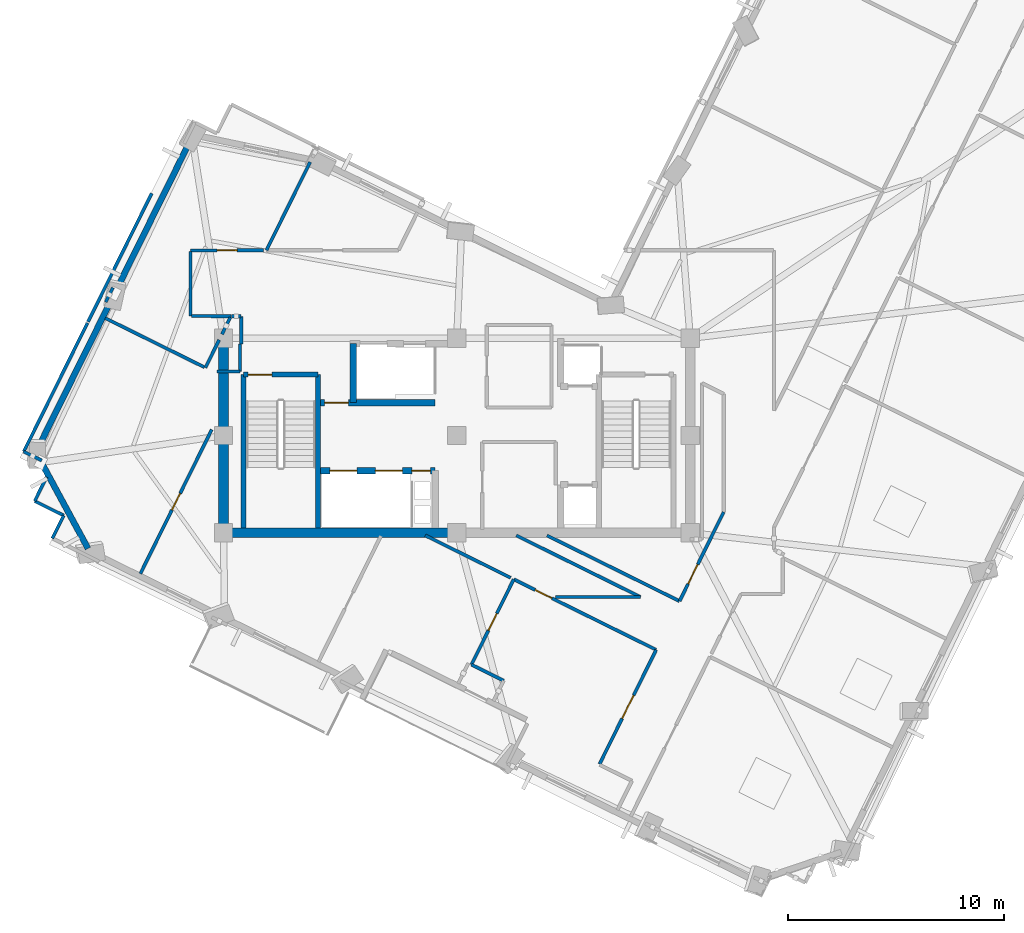
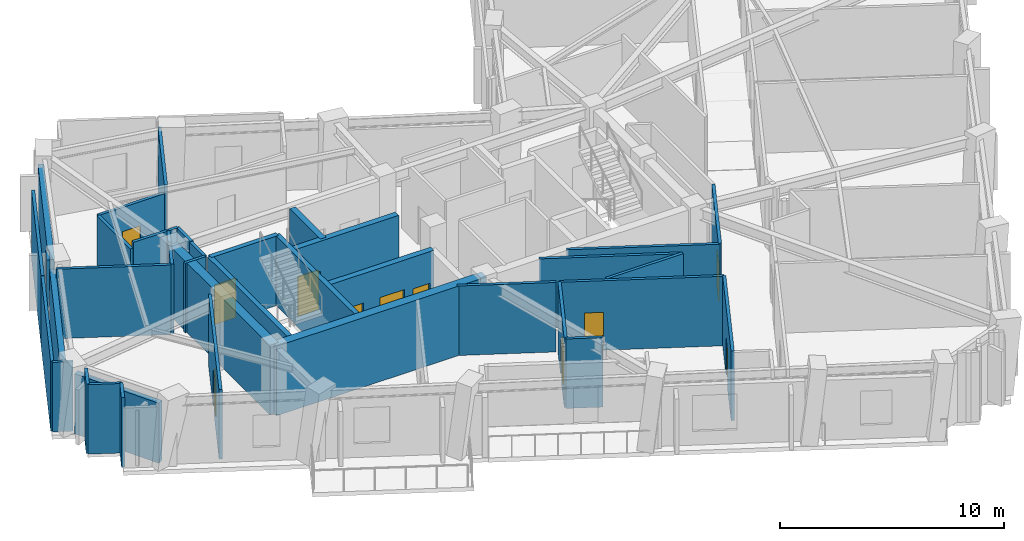
# One storey, part 4 of 11: 39 walls, 11 doors, 11 openings.
"""IFC4 building model written with IfcOpenShell, lengths in metres."""

from ifc_helpers import new_model, si_unit, direction, frame, frame_2d, origin, place, context, subcontext, project, spatial, rectangle, extrude, material, layer, layer_set, type_object, element, fill, save


model = new_model("IFC4")

# Units and contexts
model_context = context("Model", 3, precision=1e-05, world=origin(), true_north=direction((0.0, 1.0)))
body_context = subcontext(model_context, "Body", "Model", "MODEL_VIEW")
ifc_project = project(units=[si_unit("LENGTHUNIT", "METRE"), si_unit("AREAUNIT", "SQUARE_METRE"), si_unit("VOLUMEUNIT", "CUBIC_METRE"), si_unit("PLANEANGLEUNIT", "RADIAN"), si_unit("MASSUNIT", "GRAM", prefix="KILO")], contexts=[model_context])

# Site, building, storey
site_placement = place(None, origin())
site = spatial("IfcSite", under=ifc_project, at=site_placement, CompositionType="ELEMENT")
building_placement = place(site_placement, origin())
building = spatial("IfcBuilding", under=site, at=building_placement, Name="Gaonmaruhae Medical Tower", CompositionType="ELEMENT")
storey_placement = place(building_placement, frame((0.0, 0.0, 296.60009765625)))
storey = spatial("IfcBuildingStorey", under=building, at=storey_placement, Name="L71", CompositionType="ELEMENT", Elevation=296.60009765625)

# Walls
ifc_material_1 = material(Name="Concrete C50/60", Category="concrete")
ifc_layer_1 = layer(ifc_material_1, 0.449951171875)
ifc_layer_set_1 = layer_set([ifc_layer_1], Name="Concrete C50/60")
wall_type_1 = type_object("IfcWallType", Name="CW-450 Upper Core Shear Wall", PredefinedType="SHEAR", material=ifc_layer_set_1)
wall_1_placement = place(storey_placement, frame((14.0, 7.800048828125, 0.0), z_axis=(0.0, 0.0, 1.0), x_axis=(1.0, 0.0, 0.0)))
element("IfcWall", 1, at=wall_1_placement, inside=storey, type_object=wall_type_1, Name="L71 Core Shear Wall CSW-S1", PredefinedType="SHEAR", context=body_context, shape_type="SweptSolid", body=[
    extrude(rectangle(XDim=10.800048828125, YDim=0.449951171875, at=frame_2d((5.39990234375, 0.0))), origin(), (0.0, 0.0, 1.0), 3.77978515625),
])
wall_2_placement = place(storey_placement, frame((14.0, 16.800048828125, 0.0), z_axis=(0.0, 0.0, 1.0), x_axis=(0.0, -1.0, 0.0)))
element("IfcWall", 2, at=wall_2_placement, inside=storey, type_object=wall_type_1, Name="L71 Core Shear Wall CSW-W1", PredefinedType="SHEAR", context=body_context, shape_type="SweptSolid", body=[
    extrude(rectangle(XDim=9.0, YDim=0.449951171875, at=frame_2d((4.5, 0.0))), origin(), (0.0, 0.0, 1.0), 3.77978515625),
])
ifc_material_2 = material(Name="Precast concrete C45/55", Category="concrete")
ifc_layer_2 = layer(ifc_material_2, 0.280029296875)
ifc_layer_set_2 = layer_set([ifc_layer_2], Name="Precast concrete C45/55")
wall_type_2 = type_object("IfcWallType", Name="EW-280 Upper Precast Masonry-Frame Facade Wall", PredefinedType="SOLIDWALL", material=ifc_layer_set_2)
wall_3_placement = place(storey_placement, frame((9.052978515625, 19.0625, 0.0), z_axis=(0.0, 0.0, 1.0), x_axis=(0.443860814278, 0.896095741285, 0.0)))
element("IfcWall", 3, at=wall_3_placement, inside=storey, type_object=wall_type_2, Name="L71 Precast Masonry-Frame Wall N01-N02", PredefinedType="SOLIDWALL", context=body_context, shape_type="SweptSolid", body=[
    extrude(rectangle(XDim=7.434326171875, YDim=0.280029296875, at=frame_2d((3.71728515625, 0.0))), origin(), (0.0, 0.0, 1.0), 3.264892578125),
])
wall_4_placement = place(storey_placement, frame((5.3994140625, 11.68603515625, 0.0), z_axis=(0.0, 0.0, 1.0), x_axis=(0.443844166841, 0.896103987025, 0.0)))
element("IfcWall", 4, at=wall_4_placement, inside=storey, type_object=wall_type_2, Name="L71 Precast Masonry-Frame Wall N02-N03", PredefinedType="SOLIDWALL", context=body_context, shape_type="SweptSolid", body=[
    extrude(rectangle(XDim=7.484619140625, YDim=0.280029296875, at=frame_2d((3.7421875, 0.0))), origin(), (0.0, 0.0, 1.0), 3.264892578125),
])
wall_5_placement = place(storey_placement, frame((7.729736328125, 7.070068359375, 0.0), z_axis=(0.0, 0.0, 1.0), x_axis=(-0.476110062992, 0.879385699177, 0.0)))
element("IfcWall", 5, at=wall_5_placement, inside=storey, type_object=wall_type_2, Name="L71 Precast Masonry-Frame Wall N03-W01", PredefinedType="SOLIDWALL", context=body_context, shape_type="SweptSolid", body=[
    extrude(rectangle(XDim=4.407958984375, YDim=0.280029296875, at=frame_2d((2.2041015625, 0.0))), origin(), (0.0, 0.0, 1.0), 3.264892578125),
])
ifc_material_3 = material(Name="Gypsum board partition", Category="gypsum")
ifc_layer_3 = layer(ifc_material_3, 0.14990234375)
ifc_layer_set_3 = layer_set([ifc_layer_3], Name="Gypsum board partition")
wall_type_3 = type_object("IfcWallType", Name="PW-150 Rated Clinical Corridor Partition", PredefinedType="PARTITIONING", material=ifc_layer_set_3)
wall_6_placement = place(storey_placement, frame((26.967041015625, 0.9560546875, 0.0), z_axis=(0.0, 0.0, 1.0), x_axis=(-0.89597694194, 0.444100573645, 0.0)))
element("IfcWall", 6, at=wall_6_placement, inside=storey, type_object=wall_type_3, Name="L71 Interior Partition L71-WOF07-42", PredefinedType="PARTITIONING", context=body_context, shape_type="SweptSolid", body=[
    extrude(rectangle(XDim=1.6640625, YDim=0.14990234375, at=frame_2d((0.83203125, 0.0))), origin(), (0.0, 0.0, 1.0), 3.77978515625),
])

# Wall, opening, door
wall_7_placement = place(storey_placement, frame((25.47607421875, 1.695068359375, 0.0), z_axis=(0.0, 0.0, 1.0), x_axis=(0.443777888659, 0.896136811842, 0.0)))
wall_7 = element("IfcWall", 7, at=wall_7_placement, inside=storey, type_object=wall_type_3, Name="L71 Interior Partition L71-WOF07-43", PredefinedType="PARTITIONING", context=body_context, shape_type="SweptSolid", body=[
    extrude(rectangle(XDim=4.409912109375, YDim=0.14990234375, at=frame_2d((2.205078125, 0.0))), origin(), (0.0, 0.0, 1.0), 3.77978515625),
])
opening_1_placement = place(wall_7_placement, frame((1.77490234375, 0.0, 0.0)))
opening_1 = element("IfcOpeningElement", 8, at=opening_1_placement, cuts=wall_7, Name="Opening AD-01", PredefinedType="OPENING", context=body_context, shape_type="SweptSolid", body=[
    extrude(rectangle(XDim=0.860107421875, YDim=2.06005859375, at=frame_2d((0.43017578125, 1.030029296875))), frame((0.0, 0.0849609375, 0.0), z_axis=(0.0, -1.0, 0.0), x_axis=(1.0, 0.0, 0.0)), (0.0, 0.0, 1.0), 0.169921875),
])
ifc_material_4 = material(Name="Powder-coated steel access door", Category="steel")
door_type_1 = type_object("IfcDoorType", Name="AD-01 Riser & Closet Access Fire Door 860x2060", OperationType="NOTDEFINED", PredefinedType="DOOR", material=ifc_material_4)
door_1_placement = place(opening_1_placement, origin())
door_1 = element("IfcDoor", 9, at=door_1_placement, inside=storey, type_object=door_type_1, Name="L71 Ward Physician Reporting Office Sliding Door", OperationType="SLIDING_TO_LEFT", OverallHeight=2.06005859375, OverallWidth=0.860107421875, PredefinedType="DOOR", context=body_context, shape_type="SweptSolid", body=[
    extrude(rectangle(XDim=0.860107421875, YDim=2.06005859375, at=frame_2d((0.43017578125, 1.030029296875))), frame((0.0, 0.02490234375, 0.0), z_axis=(0.0, -1.0, 0.0), x_axis=(1.0, 0.0, 0.0)), (0.0, 0.0, 1.0), 0.050048828125),
])
fill(opening_1, door_1)

wall_8_placement = place(storey_placement, frame((27.43310546875, 5.64697265625, 0.0), z_axis=(0.0, 0.0, 1.0), x_axis=(0.896133495003, -0.443784586409, 0.0)))
wall_8 = element("IfcWall", 10, at=wall_8_placement, inside=storey, type_object=wall_type_3, Name="L71 Interior Partition L71-WOF07-44", PredefinedType="PARTITIONING", context=body_context, shape_type="SweptSolid", body=[
    extrude(rectangle(XDim=7.354736328125, YDim=0.14990234375, at=frame_2d((3.67724609375, 0.0))), origin(), (0.0, 0.0, 1.0), 3.77978515625),
])
opening_2_placement = place(wall_8_placement, frame((1.11083984375, 0.0, 0.0)))
opening_2 = element("IfcOpeningElement", 11, at=opening_2_placement, cuts=wall_8, Name="Opening AD-01", PredefinedType="OPENING", context=body_context, shape_type="SweptSolid", body=[
    extrude(rectangle(XDim=0.860107421875, YDim=2.06005859375, at=frame_2d((0.43017578125, 1.030029296875))), frame((0.0, 0.0849609375, 0.0), z_axis=(0.0, -1.0, 0.0), x_axis=(1.0, 0.0, 0.0)), (0.0, 0.0, 1.0), 0.169921875),
])
door_2_placement = place(opening_2_placement, origin())
door_2 = element("IfcDoor", 12, at=door_2_placement, inside=storey, type_object=door_type_1, Name="L71 Clinical Case Review Office Sliding Door", OperationType="SLIDING_TO_LEFT", OverallHeight=2.06005859375, OverallWidth=0.860107421875, PredefinedType="DOOR", context=body_context, shape_type="SweptSolid", body=[
    extrude(rectangle(XDim=0.860107421875, YDim=2.06005859375, at=frame_2d((0.43017578125, 1.030029296875))), frame((0.0, 0.02490234375, 0.0), z_axis=(0.0, -1.0, 0.0), x_axis=(1.0, 0.0, 0.0)), (0.0, 0.0, 1.0), 0.050048828125),
])
fill(opening_2, door_2)

wall_9_placement = place(storey_placement, frame((34.02392578125, 2.383056640625, 0.0), z_axis=(0.0, 0.0, 1.0), x_axis=(-0.443802528377, -0.896124609531, 0.0)))
wall_9 = element("IfcWall", 13, at=wall_9_placement, inside=storey, type_object=wall_type_3, Name="L71 Interior Partition L71-WOF07-45", PredefinedType="PARTITIONING", context=body_context, shape_type="SweptSolid", body=[
    extrude(rectangle(XDim=5.9033203125, YDim=0.14990234375, at=frame_2d((2.95166015625, 0.0))), origin(), (0.0, 0.0, 1.0), 3.77978515625),
])
opening_3_placement = place(wall_9_placement, frame((2.3515625, 0.0, 0.0)))
opening_3 = element("IfcOpeningElement", 14, at=opening_3_placement, cuts=wall_9, Name="Opening CD-02", PredefinedType="OPENING", context=body_context, shape_type="SweptSolid", body=[
    extrude(rectangle(XDim=1.199951171875, YDim=2.14990234375, at=frame_2d((0.60009765625, 1.074951171875))), frame((0.0, 0.0849609375, 0.0), z_axis=(0.0, -1.0, 0.0), x_axis=(1.0, 0.0, 0.0)), (0.0, 0.0, 1.0), 0.169921875),
])
ifc_material_5 = material(Name="Antimicrobial laminate timber fire door", Category="wood")
door_type_2 = type_object("IfcDoorType", Name="CD-02 Clinical Treatment & Procedure Door 1200x2150", OperationType="NOTDEFINED", PredefinedType="DOOR", material=ifc_material_5)
door_3_placement = place(opening_3_placement, origin())
door_3 = element("IfcDoor", 15, at=door_3_placement, inside=storey, type_object=door_type_2, Name="L71 Ward Physician Reporting Office Door", OperationType="SINGLE_SWING_LEFT", OverallHeight=2.14990234375, OverallWidth=1.199951171875, PredefinedType="DOOR", context=body_context, shape_type="SweptSolid", body=[
    extrude(rectangle(XDim=1.199951171875, YDim=2.14990234375, at=frame_2d((0.60009765625, 1.074951171875))), frame((0.0, 0.02490234375, 0.0), z_axis=(0.0, -1.0, 0.0), x_axis=(1.0, 0.0, 0.0)), (0.0, 0.0, 1.0), 0.050048828125),
])
fill(opening_3, door_3)

# Wall
wall_10_placement = place(storey_placement, frame((23.339111328125, 7.675048828125, 0.0), z_axis=(0.0, 0.0, 1.0), x_axis=(0.896093187534, -0.443865969923, 0.0)))
element("IfcWall", 16, at=wall_10_placement, inside=storey, type_object=wall_type_3, Name="L71 Interior Partition L71-WOF08-49", PredefinedType="PARTITIONING", context=body_context, shape_type="SweptSolid", body=[
    extrude(rectangle(XDim=4.4091796875, YDim=0.14990234375, at=frame_2d((2.20458984375, 0.0))), origin(), (0.0, 0.0, 1.0), 3.77978515625),
])

# Wall, opening, door
wall_11_placement = place(storey_placement, frame((10.154052734375, 5.908935546875, 0.0), z_axis=(0.0, 0.0, 1.0), x_axis=(0.443874121777, 0.896089149592, 0.0)))
wall_11 = element("IfcWall", 17, at=wall_11_placement, inside=storey, type_object=wall_type_3, Name="L71 Interior Partition L71-WOF09-51", PredefinedType="PARTITIONING", context=body_context, shape_type="SweptSolid", body=[
    extrude(rectangle(XDim=7.4345703125, YDim=0.14990234375, at=frame_2d((3.71728515625, 0.0))), origin(), (0.0, 0.0, 1.0), 3.77978515625),
])
opening_4_placement = place(wall_11_placement, frame((3.287353515625, 0.0, 0.0)))
opening_4 = element("IfcOpeningElement", 18, at=opening_4_placement, cuts=wall_11, Name="Opening AD-01", PredefinedType="OPENING", context=body_context, shape_type="SweptSolid", body=[
    extrude(rectangle(XDim=0.860107421875, YDim=2.06005859375, at=frame_2d((0.43017578125, 1.030029296875))), frame((0.0, 0.0849609375, 0.0), z_axis=(0.0, -1.0, 0.0), x_axis=(1.0, 0.0, 0.0)), (0.0, 0.0, 1.0), 0.169921875),
])
door_4_placement = place(opening_4_placement, origin())
door_4 = element("IfcDoor", 19, at=door_4_placement, inside=storey, type_object=door_type_1, Name="L71 Ward Physician Reporting Office Sliding Door", OperationType="SLIDING_TO_LEFT", OverallHeight=2.06005859375, OverallWidth=0.860107421875, PredefinedType="DOOR", context=body_context, shape_type="SweptSolid", body=[
    extrude(rectangle(XDim=0.860107421875, YDim=2.06005859375, at=frame_2d((0.43017578125, 1.030029296875))), frame((0.0, 0.02490234375, 0.0), z_axis=(0.0, -1.0, 0.0), x_axis=(1.0, 0.0, 0.0)), (0.0, 0.0, 1.0), 0.050048828125),
])
fill(opening_4, door_4)

# Walls
wall_12_placement = place(storey_placement, frame((5.260009765625, 9.264892578125, 0.0), z_axis=(0.0, 0.0, 1.0), x_axis=(0.443978872549, 0.896037254097, 0.0)))
element("IfcWall", 20, at=wall_12_placement, inside=storey, type_object=wall_type_3, Name="L71 Interior Partition L71-WOF10-52", PredefinedType="PARTITIONING", context=body_context, shape_type="SweptSolid", body=[
    extrude(rectangle(XDim=1.239013671875, YDim=0.14990234375, at=frame_2d((0.61962890625, 0.0))), origin(), (0.0, 0.0, 1.0), 3.77978515625),
])
wall_13_placement = place(storey_placement, frame((6.080078125, 7.541015625, 0.0), z_axis=(0.0, 0.0, 1.0), x_axis=(0.443736423922, 0.896157344491, 0.0)))
element("IfcWall", 21, at=wall_13_placement, inside=storey, type_object=wall_type_3, Name="L71 Interior Partition L71-WOF10-56", PredefinedType="PARTITIONING", context=body_context, shape_type="SweptSolid", body=[
    extrude(rectangle(XDim=1.1806640625, YDim=0.14990234375, at=frame_2d((0.59033203125, 0.0))), origin(), (0.0, 0.0, 1.0), 3.77978515625),
])
wall_14_placement = place(storey_placement, frame((6.60400390625, 8.59912109375, 0.0), z_axis=(0.0, 0.0, 1.0), x_axis=(-0.896081341139, 0.443889885065, 0.0)))
element("IfcWall", 22, at=wall_14_placement, inside=storey, type_object=wall_type_3, Name="L71 Interior Partition L71-WOF10-57", PredefinedType="PARTITIONING", context=body_context, shape_type="SweptSolid", body=[
    extrude(rectangle(XDim=1.499755859375, YDim=0.14990234375, at=frame_2d((0.75, 0.0))), origin(), (0.0, 0.0, 1.0), 3.77978515625),
])

# Wall, opening, door
wall_15_placement = place(storey_placement, frame((37.14990234375, 8.760986328125, 0.0), z_axis=(0.0, 0.0, 1.0), x_axis=(-0.443815988883, -0.896117943137, 0.0)))
wall_15 = element("IfcWall", 23, at=wall_15_placement, inside=storey, type_object=wall_type_3, Name="L71 Interior Partition L71-IE01-62", PredefinedType="PARTITIONING", context=body_context, shape_type="SweptSolid", body=[
    extrude(rectangle(XDim=4.603271484375, YDim=0.14990234375, at=frame_2d((2.3017578125, 0.0))), origin(), (0.0, 0.0, 1.0), 3.77978515625),
])
opening_5_placement = place(wall_15_placement, frame((2.714599609375, 0.0, 0.0)))
opening_5 = element("IfcOpeningElement", 24, at=opening_5_placement, cuts=wall_15, Name="Opening CD-01", PredefinedType="OPENING", context=body_context, shape_type="SweptSolid", body=[
    extrude(rectangle(XDim=1.0, YDim=2.1201171875, at=frame_2d((0.5, 1.06005859375))), frame((0.0, 0.0849609375, 0.0), z_axis=(0.0, -1.0, 0.0), x_axis=(1.0, 0.0, 0.0)), (0.0, 0.0, 1.0), 0.169921875),
])
door_type_3 = type_object("IfcDoorType", Name="CD-01 Consultation & Physician Office Door 1000x2120", OperationType="NOTDEFINED", PredefinedType="DOOR", material=ifc_material_5)
door_5_placement = place(opening_5_placement, origin())
door_5 = element("IfcDoor", 25, at=door_5_placement, inside=storey, type_object=door_type_3, Name="L71 Central Clinical Nurse Station Door", OperationType="SINGLE_SWING_RIGHT", OverallHeight=2.1201171875, OverallWidth=1.0, PredefinedType="DOOR", context=body_context, shape_type="SweptSolid", body=[
    extrude(rectangle(XDim=1.0, YDim=2.1201171875, at=frame_2d((0.5, 1.06005859375))), frame((0.0, 0.02490234375, 0.0), z_axis=(0.0, -1.0, 0.0), x_axis=(1.0, 0.0, 0.0)), (0.0, 0.0, 1.0), 0.050048828125),
])
fill(opening_5, door_5)

# Walls
wall_16_placement = place(storey_placement, frame((35.10693359375, 4.635986328125, 0.0), z_axis=(0.0, 0.0, 1.0), x_axis=(-0.8960827402, 0.443887060767, 0.0)))
element("IfcWall", 26, at=wall_16_placement, inside=storey, type_object=wall_type_3, Name="L71 Interior Partition L71-IE01-63", PredefinedType="PARTITIONING", context=body_context, shape_type="SweptSolid", body=[
    extrude(rectangle(XDim=6.846435546875, YDim=0.14990234375, at=frame_2d((3.42333984375, 0.0))), origin(), (0.0, 0.0, 1.0), 3.77978515625),
])
wall_17_placement = place(storey_placement, frame((15.989990234375, 20.8798828125, 0.0), z_axis=(0.0, 0.0, 1.0), x_axis=(0.443946777105, 0.896053156402, 0.0)))
element("IfcWall", 27, at=wall_17_placement, inside=storey, type_object=wall_type_3, Name="L71 Interior Partition L71-IN02-80", PredefinedType="PARTITIONING", context=body_context, shape_type="SweptSolid", body=[
    extrude(rectangle(XDim=4.5478515625, YDim=0.14990234375, at=frame_2d((2.27392578125, 0.0))), origin(), (0.0, 0.0, 1.0), 3.77978515625),
])

# Wall, opening, door
wall_18_placement = place(storey_placement, frame((15.85693359375, 20.8798828125, 0.0), z_axis=(0.0, 0.0, 1.0), x_axis=(-0.999988996932, -0.004691056928, 0.0)))
wall_18 = element("IfcWall", 28, at=wall_18_placement, inside=storey, type_object=wall_type_3, Name="L71 Interior Partition L71-IN03-87", PredefinedType="PARTITIONING", context=body_context, shape_type="SweptSolid", body=[
    extrude(rectangle(XDim=3.3828125, YDim=0.14990234375, at=frame_2d((1.69140625, 0.0))), origin(), (0.0, 0.0, 1.0), 3.414794921875),
])
opening_6_placement = place(wall_18_placement, frame((1.2314453125, 0.0, 0.0)))
opening_6 = element("IfcOpeningElement", 29, at=opening_6_placement, cuts=wall_18, Name="Opening UD-01", PredefinedType="OPENING", context=body_context, shape_type="SweptSolid", body=[
    extrude(rectangle(XDim=0.919921875, YDim=2.10009765625, at=frame_2d((0.4599609375, 1.050048828125))), frame((0.0, 0.0849609375, 0.0), z_axis=(0.0, -1.0, 0.0), x_axis=(1.0, 0.0, 0.0)), (0.0, 0.0, 1.0), 0.169921875),
])
ifc_material_6 = material(Name="Powder-coated steel utility door", Category="steel")
door_type_4 = type_object("IfcDoorType", Name="UD-01 Toilet, Utility & Housekeeping Door 920x2100", OperationType="NOTDEFINED", PredefinedType="DOOR", material=ifc_material_6)
door_6_placement = place(opening_6_placement, origin())
door_6 = element("IfcDoor", 30, at=door_6_placement, inside=storey, type_object=door_type_4, Name="L71 Public Visitor Toilet Door", OperationType="SINGLE_SWING_RIGHT", OverallHeight=2.10009765625, OverallWidth=0.919921875, PredefinedType="DOOR", context=body_context, shape_type="SweptSolid", body=[
    extrude(rectangle(XDim=0.919921875, YDim=2.10009765625, at=frame_2d((0.4599609375, 1.050048828125))), frame((0.0, 0.02490234375, 0.0), z_axis=(0.0, -1.0, 0.0), x_axis=(1.0, 0.0, 0.0)), (0.0, 0.0, 1.0), 0.050048828125),
])
fill(opening_6, door_6)

# Walls
wall_19_placement = place(storey_placement, frame((12.47412109375, 20.81396484375, 0.0), z_axis=(0.0, 0.0, 1.0), x_axis=(0.00032760031, -0.999999946339, 0.0)))
element("IfcWall", 31, at=wall_19_placement, inside=storey, type_object=wall_type_3, Name="L71 Interior Partition L71-IN03-88", PredefinedType="PARTITIONING", context=body_context, shape_type="SweptSolid", body=[
    extrude(rectangle(XDim=2.98095703125, YDim=0.14990234375, at=frame_2d((1.490478515625, 0.0))), origin(), (0.0, 0.0, 1.0), 3.414794921875),
])
wall_20_placement = place(storey_placement, frame((12.52490234375, 17.8330078125, 0.0), z_axis=(0.0, 0.0, 1.0), x_axis=(0.999974620907, -0.007124432707, 0.0)))
element("IfcWall", 32, at=wall_20_placement, inside=storey, type_object=wall_type_3, Name="L71 Interior Partition L71-IN03-89", PredefinedType="PARTITIONING", context=body_context, shape_type="SweptSolid", body=[
    extrude(rectangle(XDim=1.816162109375, YDim=0.14990234375, at=frame_2d((0.908203125, 0.0))), origin(), (0.0, 0.0, 1.0), 3.77978515625),
])
wall_21_placement = place(storey_placement, frame((14.31591796875, 17.77001953125, 0.0), z_axis=(0.0, 0.0, 1.0), x_axis=(-0.443525386391, -0.896261809756, 0.0)))
element("IfcWall", 33, at=wall_21_placement, inside=storey, type_object=wall_type_3, Name="L71 Interior Partition L71-IN03-90", PredefinedType="PARTITIONING", context=body_context, shape_type="SweptSolid", body=[
    extrude(rectangle(XDim=0.874755859375, YDim=0.14990234375, at=frame_2d((0.4375, 0.0))), origin(), (0.0, 0.0, 1.0), 3.77978515625),
])
wall_22_placement = place(storey_placement, frame((13.800048828125, 16.72705078125, 0.0), z_axis=(0.0, 0.0, 1.0), x_axis=(-0.443813405685, -0.8961192225, 0.0)))
element("IfcWall", 34, at=wall_22_placement, inside=storey, type_object=wall_type_3, Name="L71 Interior Partition L71-IN03-91", PredefinedType="PARTITIONING", context=body_context, shape_type="SweptSolid", body=[
    extrude(rectangle(XDim=1.4375, YDim=0.14990234375, at=frame_2d((0.71875, 0.0))), origin(), (0.0, 0.0, 1.0), 3.77978515625),
])
wall_23_placement = place(storey_placement, frame((13.116943359375, 15.4609375, 0.0), z_axis=(0.0, 0.0, 1.0), x_axis=(-0.896088072768, 0.443876295653, 0.0)))
element("IfcWall", 35, at=wall_23_placement, inside=storey, type_object=wall_type_3, Name="L71 Interior Partition L71-IN03-92", PredefinedType="PARTITIONING", context=body_context, shape_type="SweptSolid", body=[
    extrude(rectangle(XDim=5.125732421875, YDim=0.14990234375, at=frame_2d((2.56298828125, 0.0))), origin(), (0.0, 0.0, 1.0), 3.77978515625),
])
wall_24_placement = place(storey_placement, frame((8.551025390625, 18.47705078125, 0.0), z_axis=(0.0, 0.0, 1.0), x_axis=(0.444076193539, 0.895989025788, 0.0)))
element("IfcWall", 36, at=wall_24_placement, inside=storey, type_object=wall_type_3, Name="L71 Interior Partition L71-IN03-93", PredefinedType="PARTITIONING", context=body_context, shape_type="SweptSolid", body=[
    extrude(rectangle(XDim=0.747802734375, YDim=0.14990234375, at=frame_2d((0.3740234375, 0.0))), origin(), (0.0, 0.0, 1.0), 3.77978515625),
])
wall_25_placement = place(storey_placement, frame((27.552978515625, 7.675048828125, 0.0), z_axis=(0.0, 0.0, 1.0), x_axis=(0.896074338839, -0.443904020341, 0.0)))
element("IfcWall", 37, at=wall_25_placement, inside=storey, type_object=wall_type_3, Name="L71 Interior Partition L71-RM01-97", PredefinedType="PARTITIONING", context=body_context, shape_type="SweptSolid", body=[
    extrude(rectangle(XDim=6.408935546875, YDim=0.14990234375, at=frame_2d((3.20458984375, 0.0))), origin(), (0.0, 0.0, 1.0), 3.77978515625),
])
wall_26_placement = place(storey_placement, frame((33.2958984375, 4.830078125, 0.0), z_axis=(0.0, 0.0, 1.0), x_axis=(-1.0, 0.0, 0.0)))
element("IfcWall", 38, at=wall_26_placement, inside=storey, type_object=wall_type_3, Name="L71 Interior Partition L71-RM01-98", PredefinedType="PARTITIONING", context=body_context, shape_type="SweptSolid", body=[
    extrude(rectangle(XDim=3.929931640625, YDim=0.14990234375, at=frame_2d((1.96484375, 0.0))), origin(), (0.0, 0.0, 1.0), 3.77978515625),
])
wall_27_placement = place(storey_placement, frame((4.7548828125, 11.556884765625, 0.0), z_axis=(0.0, 0.0, 1.0), x_axis=(0.443827732057, 0.896112127056, 0.0)))
element("IfcWall", 39, at=wall_27_placement, inside=storey, type_object=wall_type_3, Name="L71 Interior Partition L71-RM02-99", PredefinedType="PARTITIONING", context=body_context, shape_type="SweptSolid", body=[
    extrude(rectangle(XDim=6.639892578125, YDim=0.14990234375, at=frame_2d((3.31982421875, 0.0))), origin(), (0.0, 0.0, 1.0), 3.77978515625),
])
wall_28_placement = place(storey_placement, frame((5.583984375, 11.14599609375, 0.0), z_axis=(0.0, 0.0, 1.0), x_axis=(-0.896004634368, 0.444044699541, 0.0)))
element("IfcWall", 40, at=wall_28_placement, inside=storey, type_object=wall_type_3, Name="L71 Interior Partition L71-RM02-101", PredefinedType="PARTITIONING", context=body_context, shape_type="SweptSolid", body=[
    extrude(rectangle(XDim=0.92529296875, YDim=0.14990234375, at=frame_2d((0.462646484375, 0.0))), origin(), (0.0, 0.0, 1.0), 3.77978515625),
])
wall_29_placement = place(storey_placement, frame((14.760009765625, 16.530029296875, 0.0), z_axis=(0.0, 0.0, 1.0), x_axis=(0.0, -1.0, 0.0)))
element("IfcWall", 41, at=wall_29_placement, inside=storey, type_object=wall_type_3, Name="L71 Interior Partition L71-RM03-102", PredefinedType="PARTITIONING", context=body_context, shape_type="SweptSolid", body=[
    extrude(rectangle(XDim=1.27001953125, YDim=0.14990234375, at=frame_2d((0.635009765625, 0.0))), origin(), (0.0, 0.0, 1.0), 3.77978515625),
])
wall_30_placement = place(storey_placement, frame((14.760009765625, 15.260009765625, 0.0), z_axis=(0.0, 0.0, 1.0), x_axis=(-1.0, 0.0, 0.0)))
element("IfcWall", 42, at=wall_30_placement, inside=storey, type_object=wall_type_3, Name="L71 Interior Partition L71-RM03-103", PredefinedType="PARTITIONING", context=body_context, shape_type="SweptSolid", body=[
    extrude(rectangle(XDim=1.06005859375, YDim=0.14990234375, at=frame_2d((0.530029296875, 0.0))), origin(), (0.0, 0.0, 1.0), 3.77978515625),
])
wall_31_placement = place(storey_placement, frame((7.72900390625, 17.56103515625, 0.0), z_axis=(0.0, 0.0, 1.0), x_axis=(0.443842355867, 0.896104884006, 0.0)))
element("IfcWall", 43, at=wall_31_placement, inside=storey, type_object=wall_type_3, Name="L71 Interior Partition L71-RM03-104", PredefinedType="PARTITIONING", context=body_context, shape_type="SweptSolid", body=[
    extrude(rectangle(XDim=6.639892578125, YDim=0.14990234375, at=frame_2d((3.31982421875, 0.0))), origin(), (0.0, 0.0, 1.0), 3.77978515625),
])
wall_32_placement = place(storey_placement, frame((14.361083984375, 17.820068359375, 0.0), z_axis=(0.0, 0.0, 1.0), x_axis=(1.0, 0.0, 0.0)))
element("IfcWall", 44, at=wall_32_placement, inside=storey, type_object=wall_type_3, Name="L71 Interior Partition L71-RM03-105", PredefinedType="PARTITIONING", context=body_context, shape_type="SweptSolid", body=[
    extrude(rectangle(XDim=0.458984375, YDim=0.14990234375, at=frame_2d((0.2294921875, 0.0))), origin(), (0.0, 0.0, 1.0), 3.77978515625),
])
wall_33_placement = place(storey_placement, frame((14.820068359375, 17.820068359375, 0.0), z_axis=(0.0, 0.0, 1.0), x_axis=(0.0, -1.0, 0.0)))
element("IfcWall", 45, at=wall_33_placement, inside=storey, type_object=wall_type_3, Name="L71 Interior Partition L71-RM03-106", PredefinedType="PARTITIONING", context=body_context, shape_type="SweptSolid", body=[
    extrude(rectangle(XDim=1.27197265625, YDim=0.14990234375, at=frame_2d((0.635986328125, 0.0))), origin(), (0.0, 0.0, 1.0), 3.77978515625),
])

# Wall, opening, door
ifc_layer_4 = layer(ifc_material_1, 0.239990234375)
ifc_layer_set_4 = layer_set([ifc_layer_4], Name="Concrete C50/60")
wall_type_4 = type_object("IfcWallType", Name="SW-240 Dogleg Stair Tight Shaft Wall", PredefinedType="SOLIDWALL", material=ifc_layer_set_4)
wall_34_placement = place(storey_placement, frame((14.919921875, 15.1201171875, 0.0), z_axis=(0.0, 0.0, 1.0), x_axis=(1.0, 0.0, 0.0)))
wall_34 = element("IfcWall", 46, at=wall_34_placement, inside=storey, type_object=wall_type_4, Name="L71 ST-01 Stair Shaft Wall SHW-ST-01-N", PredefinedType="SOLIDWALL", context=body_context, shape_type="SweptSolid", body=[
    extrude(rectangle(XDim=3.4599609375, YDim=0.239990234375, at=frame_2d((1.72998046875, 0.0))), origin(), (0.0, 0.0, 1.0), 3.77978515625),
])
opening_7_placement = place(wall_34_placement, frame((0.219970703125, 0.0, 0.0)))
opening_7 = element("IfcOpeningElement", 47, at=opening_7_placement, cuts=wall_34, Name="Opening FD-01", PredefinedType="OPENING", context=body_context, shape_type="SweptSolid", body=[
    extrude(rectangle(XDim=1.10009765625, YDim=2.14990234375, at=frame_2d((0.550048828125, 1.074951171875))), frame((0.0, 0.1298828125, 0.0), z_axis=(0.0, -1.0, 0.0), x_axis=(1.0, 0.0, 0.0)), (0.0, 0.0, 1.0), 0.260009765625),
])
ifc_material_7 = material(Name="Powder-coated steel fire door", Category="steel")
door_type_5 = type_object("IfcDoorType", Name="FD-01 Escape Stair Protected Fire Door 1100x2150", OperationType="NOTDEFINED", PredefinedType="DOOR", material=ifc_material_7)
door_7_placement = place(opening_7_placement, origin())
door_7 = element("IfcDoor", 48, at=door_7_placement, inside=storey, type_object=door_type_5, Name="L71 ST-01 Protected Escape Stair Door", OperationType="SINGLE_SWING_RIGHT", OverallHeight=2.14990234375, OverallWidth=1.10009765625, PredefinedType="DOOR", context=body_context, shape_type="SweptSolid", body=[
    extrude(rectangle(XDim=1.10009765625, YDim=2.14990234375, at=frame_2d((0.550048828125, 1.074951171875))), frame((0.0, 0.02490234375, 0.0), z_axis=(0.0, -1.0, 0.0), x_axis=(1.0, 0.0, 0.0)), (0.0, 0.0, 1.0), 0.050048828125),
])
fill(opening_7, door_7)

# Walls
for number, where, z_axis, x_axis, name in (
    (49, (18.3798828125, 15.1201171875, 0.0), (0.0, 0.0, 1.0), (0.0, -1.0, 0.0), "L71 ST-01 Stair Shaft Wall SHW-ST-01-E"),
    (50, (14.919921875, 8.02490234375, 0.0), (0.0, 0.0, 1.0), (0.0, 1.0, 0.0), "L71 ST-01 Stair Shaft Wall SHW-ST-01-W"),
):
    element("IfcWall", number, at=place(storey_placement, frame(where, z_axis=z_axis, x_axis=x_axis)), inside=storey, type_object=wall_type_4, Name=name, PredefinedType="SOLIDWALL", context=body_context, shape_type="SweptSolid", body=[
        extrude(rectangle(XDim=7.09521484375, YDim=0.239990234375, at=frame_2d((3.547607421875, 0.0))), origin(), (0.0, 0.0, 1.0), 3.77978515625),
    ])

# Wall, openings, doors
ifc_layer_5 = layer(ifc_material_1, 0.300048828125)
ifc_layer_set_5 = layer_set([ifc_layer_5], Name="Concrete C50/60")
wall_type_5 = type_object("IfcWallType", Name="SW-300 Stair & Lift Hoistway Shaft Wall", PredefinedType="SOLIDWALL", material=ifc_layer_set_5)
wall_35_placement = place(storey_placement, frame((18.5, 10.679931640625, 0.0), z_axis=(0.0, 0.0, 1.0), x_axis=(1.0, 0.0, 0.0)))
wall_35 = element("IfcWall", 51, at=wall_35_placement, inside=storey, type_object=wall_type_5, Name="L71 Shaft Enclosure Wall SHW-FFN", PredefinedType="SOLIDWALL", context=body_context, shape_type="SweptSolid", body=[
    extrude(rectangle(XDim=5.300048828125, YDim=0.300048828125, at=frame_2d((2.64990234375, 0.0))), origin(), (0.0, 0.0, 1.0), 3.77978515625),
])
opening_8_placement = place(wall_35_placement, frame((4.219970703125, 0.0, 0.0)))
opening_8 = element("IfcOpeningElement", 52, at=opening_8_placement, cuts=wall_35, Name="Opening AD-01", PredefinedType="OPENING", context=body_context, shape_type="SweptSolid", body=[
    extrude(rectangle(XDim=0.860107421875, YDim=2.06005859375, at=frame_2d((0.43017578125, 1.030029296875))), frame((0.0, 0.16015625, 0.0), z_axis=(0.0, -1.0, 0.0), x_axis=(1.0, 0.0, 0.0)), (0.0, 0.0, 1.0), 0.320068359375),
])
opening_9_placement = place(wall_35_placement, frame((0.425048828125, 0.0, 0.0)))
opening_9 = element("IfcOpeningElement", 53, at=opening_9_placement, cuts=wall_35, Name="Opening LD-F1", PredefinedType="OPENING", context=body_context, shape_type="SweptSolid", body=[
    extrude(rectangle(XDim=1.25, YDim=2.179931640625, at=frame_2d((0.625, 1.08984375))), frame((0.0, 0.16015625, 0.0), z_axis=(0.0, -1.0, 0.0), x_axis=(1.0, 0.0, 0.0)), (0.0, 0.0, 1.0), 0.320068359375),
])
opening_10_placement = place(wall_35_placement, frame((2.52490234375, 0.0, 0.0)))
opening_10 = element("IfcOpeningElement", 54, at=opening_10_placement, cuts=wall_35, Name="Opening LD-F1", PredefinedType="OPENING", context=body_context, shape_type="SweptSolid", body=[
    extrude(rectangle(XDim=1.25, YDim=2.179931640625, at=frame_2d((0.625, 1.08984375))), frame((0.0, 0.16015625, 0.0), z_axis=(0.0, -1.0, 0.0), x_axis=(1.0, 0.0, 0.0)), (0.0, 0.0, 1.0), 0.320068359375),
])
door_8_placement = place(opening_8_placement, origin())
door_8 = element("IfcDoor", 55, at=door_8_placement, inside=storey, type_object=door_type_1, Name="L71 Medical Gas and MEP Riser Access Door", OperationType="SINGLE_SWING_RIGHT", OverallHeight=2.06005859375, OverallWidth=0.860107421875, PredefinedType="DOOR", context=body_context, shape_type="SweptSolid", body=[
    extrude(rectangle(XDim=0.860107421875, YDim=2.06005859375, at=frame_2d((0.43017578125, 1.030029296875))), frame((0.0, 0.02490234375, 0.0), z_axis=(0.0, -1.0, 0.0), x_axis=(1.0, 0.0, 0.0)), (0.0, 0.0, 1.0), 0.050048828125),
])
fill(opening_8, door_8)
ifc_material_8 = material(Name="Brushed stainless steel 316L landing door", Category="steel")
door_type_6 = type_object("IfcDoorType", Name="LD-F1 Firefighting & Bed Lift Sliding Landing Door 1250x2180", OperationType="NOTDEFINED", PredefinedType="DOOR", material=ifc_material_8)
door_9_placement = place(opening_9_placement, origin())
door_9 = element("IfcDoor", 56, at=door_9_placement, inside=storey, type_object=door_type_6, Name="L71 Firefighting Lift Landing Door FFL-01", OperationType="DOUBLE_DOOR_SLIDING", OverallHeight=2.179931640625, OverallWidth=1.25, PredefinedType="DOOR", context=body_context, shape_type="SweptSolid", body=[
    extrude(rectangle(XDim=1.25, YDim=2.179931640625, at=frame_2d((0.625, 1.08984375))), frame((0.0, 0.02490234375, 0.0), z_axis=(0.0, -1.0, 0.0), x_axis=(1.0, 0.0, 0.0)), (0.0, 0.0, 1.0), 0.050048828125),
])
fill(opening_9, door_9)
door_10_placement = place(opening_10_placement, origin())
door_10 = element("IfcDoor", 57, at=door_10_placement, inside=storey, type_object=door_type_6, Name="L71 Firefighting Lift Landing Door FFL-02", OperationType="DOUBLE_DOOR_SLIDING", OverallHeight=2.179931640625, OverallWidth=1.25, PredefinedType="DOOR", context=body_context, shape_type="SweptSolid", body=[
    extrude(rectangle(XDim=1.25, YDim=2.179931640625, at=frame_2d((0.625, 1.08984375))), frame((0.0, 0.02490234375, 0.0), z_axis=(0.0, -1.0, 0.0), x_axis=(1.0, 0.0, 0.0)), (0.0, 0.0, 1.0), 0.050048828125),
])
fill(opening_10, door_10)

# Wall, opening, door
wall_36_placement = place(storey_placement, frame((18.5, 13.820068359375, 0.0), z_axis=(0.0, 0.0, 1.0), x_axis=(1.0, 0.0, 0.0)))
wall_36 = element("IfcWall", 58, at=wall_36_placement, inside=storey, type_object=wall_type_5, Name="L71 Shaft Enclosure Wall SHW-FFL", PredefinedType="SOLIDWALL", context=body_context, shape_type="SweptSolid", body=[
    extrude(rectangle(XDim=5.300048828125, YDim=0.300048828125, at=frame_2d((2.64990234375, 0.0))), origin(), (0.0, 0.0, 1.0), 3.77978515625),
])
opening_11_placement = place(wall_36_placement, frame((0.179931640625, 0.0, 0.0)))
opening_11 = element("IfcOpeningElement", 59, at=opening_11_placement, cuts=wall_36, Name="Opening FD-01", PredefinedType="OPENING", context=body_context, shape_type="SweptSolid", body=[
    extrude(rectangle(XDim=1.10009765625, YDim=2.14990234375, at=frame_2d((0.550048828125, 1.074951171875))), frame((0.0, 0.16015625, 0.0), z_axis=(0.0, -1.0, 0.0), x_axis=(1.0, 0.0, 0.0)), (0.0, 0.0, 1.0), 0.320068359375),
])
door_11_placement = place(opening_11_placement, origin())
door_11 = element("IfcDoor", 60, at=door_11_placement, inside=storey, type_object=door_type_5, Name="L71 Firefighting Lobby Smoke Door", OperationType="SINGLE_SWING_LEFT", OverallHeight=2.14990234375, OverallWidth=1.10009765625, PredefinedType="DOOR", context=body_context, shape_type="SweptSolid", body=[
    extrude(rectangle(XDim=1.10009765625, YDim=2.14990234375, at=frame_2d((0.550048828125, 1.074951171875))), frame((0.0, 0.02490234375, 0.0), z_axis=(0.0, -1.0, 0.0), x_axis=(1.0, 0.0, 0.0)), (0.0, 0.0, 1.0), 0.050048828125),
])
fill(opening_11, door_11)

# Wall
wall_37_placement = place(storey_placement, frame((20.0, 13.820068359375, 0.0), z_axis=(0.0, 0.0, 1.0), x_axis=(0.0, 1.0, 0.0)))
element("IfcWall", 61, at=wall_37_placement, inside=storey, type_object=wall_type_5, Name="L71 Shaft Enclosure Wall SHW-BDW", PredefinedType="SOLIDWALL", context=body_context, shape_type="SweptSolid", body=[
    extrude(rectangle(XDim=2.72998046875, YDim=0.300048828125, at=frame_2d((1.364990234375, 0.0))), origin(), (0.0, 0.0, 1.0), 3.77978515625),
])

save(model, "model.ifc")
